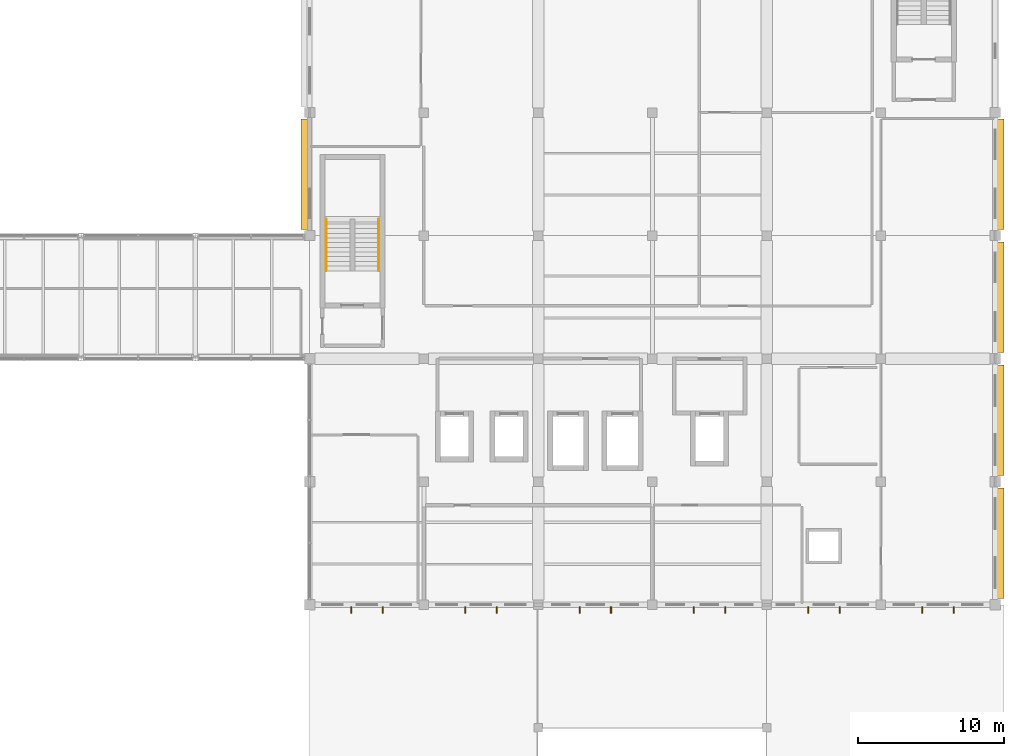
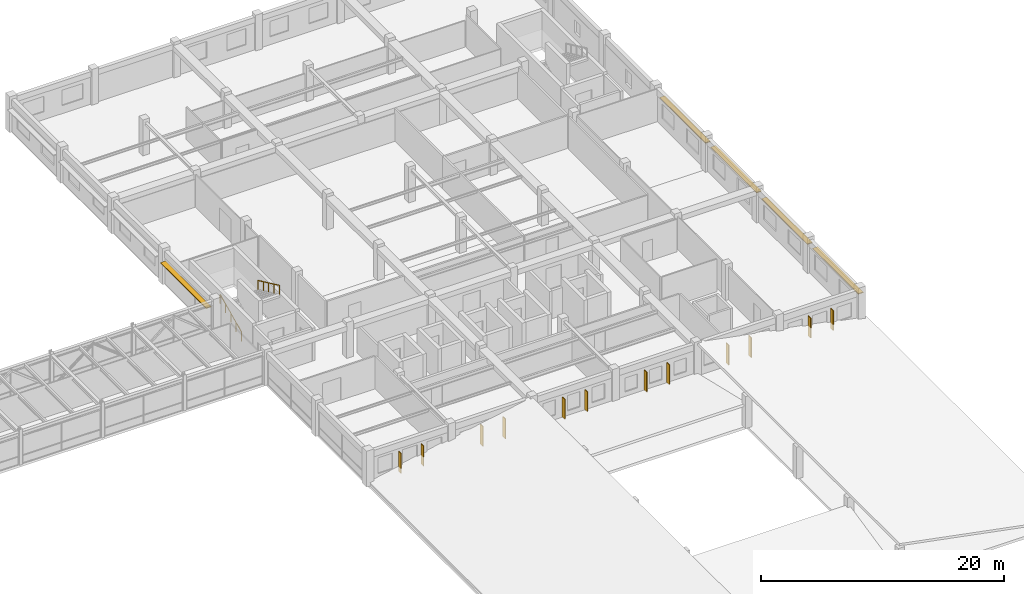
# One storey, part 48 of 49: 17 shading devices, 2 railings.
"""IFC4 building model written with IfcOpenShell, lengths in metres."""

from ifc_helpers import new_model, si_unit, direction, frame, origin, origin_2d, place, context, subcontext, project, spatial, rectangle, circle, extrude, material, layer, layer_set, type_object, element, save


model = new_model("IFC4")

# Units and contexts
model_context = context("Model", 3, precision=1e-05, world=origin(), true_north=direction((0.0, 1.0)))
body_context = subcontext(model_context, "Body", "Model", "MODEL_VIEW")
ifc_project = project(units=[si_unit("LENGTHUNIT", "METRE"), si_unit("AREAUNIT", "SQUARE_METRE"), si_unit("VOLUMEUNIT", "CUBIC_METRE"), si_unit("PLANEANGLEUNIT", "RADIAN"), si_unit("MASSUNIT", "GRAM", prefix="KILO"), si_unit("THERMODYNAMICTEMPERATUREUNIT", "KELVIN"), si_unit("POWERUNIT", "WATT")], contexts=[model_context])

# Site, building, storey
site_placement = place(None, origin())
site = spatial("IfcSite", under=ifc_project, at=site_placement, CompositionType="ELEMENT")
building_placement = place(site_placement, origin())
building = spatial("IfcBuilding", under=site, at=building_placement, Name="Srebrne Nadtorze General Hospital", CompositionType="ELEMENT")
storey_placement = place(building_placement, frame((0.0, 0.0, 26.10009765625)))
storey = spatial("IfcBuildingStorey", under=building, at=storey_placement, Name="L06", CompositionType="ELEMENT", Elevation=26.10009765625)

# Shading devices
ifc_material_1 = material(Name="Anodised Aluminium", Category="aluminium")
ifc_layer_1 = layer(ifc_material_1, 0.080078125)
ifc_layer_set_1 = layer_set([ifc_layer_1], Name="Anodised Aluminium")
shading_device_type_1 = type_object("IfcShadingDeviceType", Name="Hisashi horizontal aluminium sunshade", PredefinedType="JALOUSIE", material=ifc_layer_set_1)
for number, where, z_axis, x_axis, name in (
    (1, (101.050048828125, 63.0, 2.269775390625), (0.0, 0.0, 1.0), (1.0, 0.0, 0.0), "Hisashi horizontal sunshade eave LV-382"),
    (2, (148.550048828125, 37.800048828125, 2.369873046875), (0.0, 0.0, 1.0), (1.0, 0.0, 0.0), "Hisashi horizontal sunshade eave LV-386"),
    (3, (148.550048828125, 46.199951171875, 2.269775390625), (0.0, 0.0, 1.0), (1.0, 0.0, 0.0), "Hisashi horizontal sunshade eave LV-387"),
    (4, (148.550048828125, 54.60009765625, 2.369873046875), (0.0, 0.0, 1.0), (1.0, 0.0, 0.0), "Hisashi horizontal sunshade eave LV-388"),
    (5, (148.550048828125, 63.0, 2.269775390625), (0.0, 0.0, 1.0), (1.0, 0.0, 0.0), "Hisashi horizontal sunshade eave LV-389"),
):
    element("IfcShadingDevice", number, at=place(storey_placement, frame(where, z_axis=z_axis, x_axis=x_axis)), inside=storey, type_object=shading_device_type_1, Name=name, PredefinedType="JALOUSIE", context=body_context, shape_type="SweptSolid", body=[
        extrude(rectangle(XDim=0.47998046875, YDim=7.5400390625, at=origin_2d()), origin(), (0.0, 0.0, 1.0), 0.080078125),
    ])
ifc_material_2 = material(Name="Anodised Aluminium", Category="aluminium")
ifc_layer_2 = layer(ifc_material_2, 0.070068359375)
ifc_layer_set_2 = layer_set([ifc_layer_2], Name="Anodised Aluminium")
shading_device_type_2 = type_object("IfcShadingDeviceType", Name="Koushi vertical brise-soleil fin", PredefinedType="SHUTTER", material=ifc_layer_set_2)
for number, where, z_axis, x_axis, name in (
    (6, (104.243896484375, 33.25, 0.37109375), (0.0, 0.0, 1.0), (1.0, 0.0, 0.0), "Clinic koushi vertical fin LV-357"),
    (7, (106.381103515625, 33.25, 0.37109375), (0.0, 0.0, 1.0), (1.0, 0.0, 0.0), "Clinic koushi vertical fin LV-358"),
    (8, (112.027587890625, 33.25, 0.37109375), (0.0, 0.0, 1.0), (1.0, 0.0, 0.0), "Clinic koushi vertical fin LV-359"),
    (9, (114.172607421875, 33.25, 0.37109375), (0.0, 0.0, 1.0), (1.0, 0.0, 0.0), "Clinic koushi vertical fin LV-360"),
    (10, (119.827392578125, 33.25, 0.37109375), (0.0, 0.0, 1.0), (1.0, 0.0, 0.0), "Clinic koushi vertical fin LV-361"),
    (11, (121.972412109375, 33.25, 0.37109375), (0.0, 0.0, 1.0), (1.0, 0.0, 0.0), "Clinic koushi vertical fin LV-362"),
    (12, (127.62744140625, 33.25, 0.37109375), (0.0, 0.0, 1.0), (1.0, 0.0, 0.0), "Clinic koushi vertical fin LV-363"),
    (13, (129.7724609375, 33.25, 0.37109375), (0.0, 0.0, 1.0), (1.0, 0.0, 0.0), "Clinic koushi vertical fin LV-364"),
    (14, (135.427490234375, 33.25, 0.37109375), (0.0, 0.0, 1.0), (1.0, 0.0, 0.0), "Clinic koushi vertical fin LV-365"),
    (15, (137.572509765625, 33.25, 0.37109375), (0.0, 0.0, 1.0), (1.0, 0.0, 0.0), "Clinic koushi vertical fin LV-366"),
    (16, (143.21875, 33.25, 0.37109375), (0.0, 0.0, 1.0), (1.0, 0.0, 0.0), "Clinic koushi vertical fin LV-367"),
    (17, (145.356201171875, 33.25, 0.37109375), (0.0, 0.0, 1.0), (1.0, 0.0, 0.0), "Clinic koushi vertical fin LV-368"),
):
    element("IfcShadingDevice", number, at=place(storey_placement, frame(where, z_axis=z_axis, x_axis=x_axis)), inside=storey, type_object=shading_device_type_2, Name=name, PredefinedType="SHUTTER", context=body_context, shape_type="SweptSolid", body=[
        extrude(rectangle(XDim=0.070068359375, YDim=0.43994140625, at=origin_2d()), origin(), (0.0, 0.0, 1.0), 2.013916015625),
    ])

# Railings
ifc_material_3 = material(Name="Stainless Steel 316", Category="steel")
railing_type = type_object("IfcRailingType", Name="Tubular stainless handrail 920", PredefinedType="HANDRAIL", material=ifc_material_3)
railing_1_placement = place(storey_placement, frame((102.530029296875, 56.39990234375, 0.14990234375)))
element("IfcRailing", 18, at=railing_1_placement, inside=storey, type_object=railing_type, Name="Stair flight handrail ST-03-L06 F1", PredefinedType="HANDRAIL", context=body_context, shape_type="SweptSolid", body=[
    extrude(circle(Radius=0.02392578125, at=origin_2d()), frame((0.0, 0.0, 0.89599609375), z_axis=(0.0, 0.905469494748, 0.424411350084), x_axis=(-1.0, 0.0, 0.0)), (0.0, 0.0, 1.0), 3.887451171875),
    extrude(circle(Radius=0.02099609375, at=origin_2d()), origin(), (0.0, 0.0, 1.0), 0.871826171875),
    extrude(circle(Radius=0.02099609375, at=origin_2d()), frame((0.0, 0.8798828125, 0.41259765625)), (0.0, 0.0, 1.0), 0.871826171875),
    extrude(circle(Radius=0.02099609375, at=origin_2d()), frame((0.0, 1.760009765625, 0.824951171875)), (0.0, 0.0, 1.0), 0.871826171875),
    extrude(circle(Radius=0.02099609375, at=origin_2d()), frame((0.0, 2.64013671875, 1.2373046875)), (0.0, 0.0, 1.0), 0.871826171875),
    extrude(circle(Radius=0.02099609375, at=origin_2d()), frame((0.0, 3.52001953125, 1.64990234375)), (0.0, 0.0, 1.0), 0.871826171875),
])
railing_2_placement = place(storey_placement, frame((106.1201171875, 59.919921875, 1.949951171875)))
element("IfcRailing", 19, at=railing_2_placement, inside=storey, type_object=railing_type, Name="Stair flight handrail ST-03-L06 F2", PredefinedType="HANDRAIL", context=body_context, shape_type="SweptSolid", body=[
    extrude(circle(Radius=0.02392578125, at=origin_2d()), frame((0.0, 0.0, 0.89599609375), z_axis=(0.0, -0.905469494748, 0.424411350084), x_axis=(1.0, 0.0, 0.0)), (0.0, 0.0, 1.0), 3.887451171875),
    extrude(circle(Radius=0.02099609375, at=origin_2d()), origin(), (0.0, 0.0, 1.0), 0.871826171875),
    extrude(circle(Radius=0.02099609375, at=origin_2d()), frame((0.0, -0.8798828125, 0.41259765625)), (0.0, 0.0, 1.0), 0.871826171875),
    extrude(circle(Radius=0.02099609375, at=origin_2d()), frame((0.0, -1.760009765625, 0.824951171875)), (0.0, 0.0, 1.0), 0.871826171875),
    extrude(circle(Radius=0.02099609375, at=origin_2d()), frame((0.0, -2.64013671875, 1.2373046875)), (0.0, 0.0, 1.0), 0.871826171875),
    extrude(circle(Radius=0.02099609375, at=origin_2d()), frame((0.0, -3.52001953125, 1.64990234375)), (0.0, 0.0, 1.0), 0.871826171875),
])

save(model, "model.ifc")
